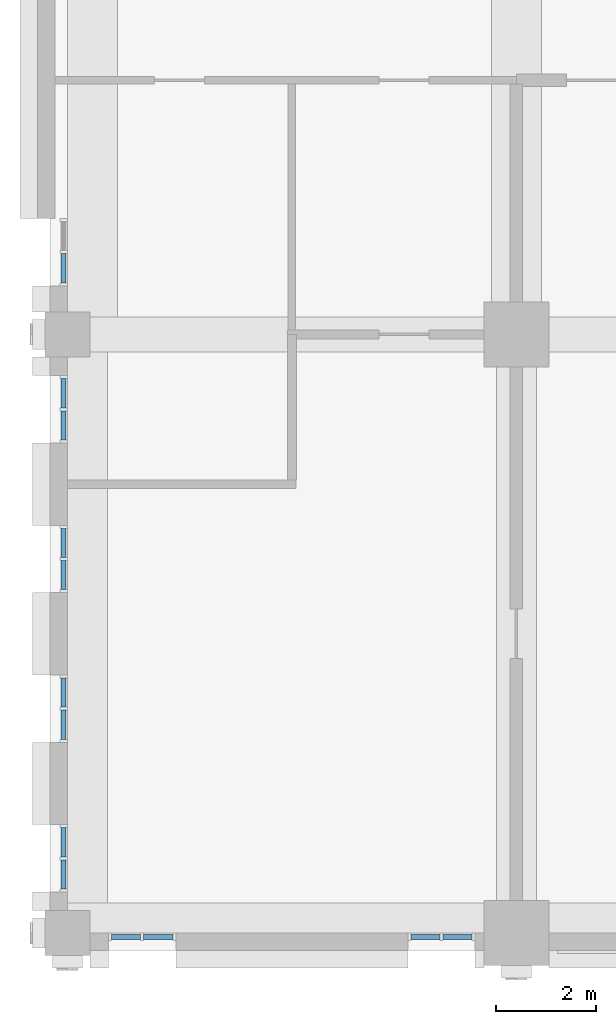
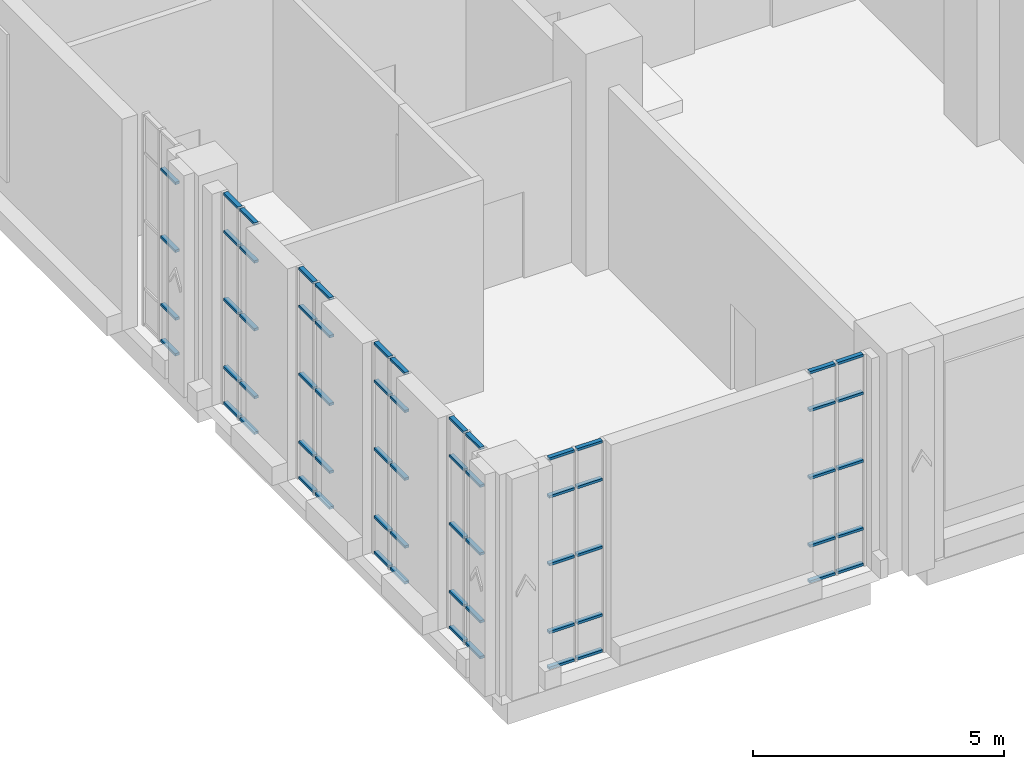
# One storey, part 15 of 53: 64 members, 7 elements without a shape of their own.
"""IFC4 building model written with IfcOpenShell, lengths in metres."""

from ifc_helpers import new_model, si_unit, direction, frame, origin, origin_2d, place, context, subcontext, project, spatial, rectangle, extrude, material, layer, layer_set, material_profile, profile_set, type_object, element, aggregate, save


model = new_model("IFC4")

# Units and contexts
model_context = context("Model", 3, precision=1e-05, world=origin(), true_north=direction((0.0, 1.0)))
body_context = subcontext(model_context, "Body", "Model", "MODEL_VIEW")
ifc_project = project(units=[si_unit("LENGTHUNIT", "METRE"), si_unit("AREAUNIT", "SQUARE_METRE"), si_unit("VOLUMEUNIT", "CUBIC_METRE"), si_unit("PLANEANGLEUNIT", "RADIAN"), si_unit("MASSUNIT", "GRAM", prefix="KILO")], contexts=[model_context])

# Site, building, storey
site_placement = place(None, origin())
site = spatial("IfcSite", under=ifc_project, at=site_placement, CompositionType="ELEMENT")
building_placement = place(site_placement, origin())
building = spatial("IfcBuilding", under=site, at=building_placement, Name="Aurelan Courthouse", CompositionType="ELEMENT")
storey_placement = place(building_placement, frame((0.0, 0.0, 12.0)))
storey = spatial("IfcBuildingStorey", under=building, at=storey_placement, Name="L02", CompositionType="ELEMENT", Elevation=12.0)

# Curtain wall, members
ifc_material_1 = material(Name="Bronze-finished aluminium and glass", Category="aluminium")
ifc_layer = layer(ifc_material_1, 0.14990234375)
ifc_layer_set = layer_set([ifc_layer], Name="Bronze-finished aluminium and glass")
curtain_wall_type = type_object("IfcCurtainWallType", Name="Curtain wall 1350 x 5150", PredefinedType="NOTDEFINED", material=ifc_layer_set)
curtain_wall_1_placement = place(storey_placement, origin())
curtain_wall_1 = element("IfcCurtainWall", 1, at=curtain_wall_1_placement, inside=storey, type_object=curtain_wall_type, Name="Curtain wall CW-V5-L02-S01", PredefinedType="NOTDEFINED")
ifc_material_2 = material(Name="Bronze-finished aluminium", Category="aluminium")
ifc_material_profile = material_profile(ifc_material_2, rectangle(XDim=0.10009765625, YDim=0.06005859375, at=origin_2d()), Name="Bronze transom 60 x 100")
ifc_profile_set = profile_set([ifc_material_profile], Name="Bronze-finished aluminium")
member_type = type_object("IfcMemberType", Name="Curtain wall transom 60 x 100", PredefinedType="USERDEFINED", material=ifc_profile_set)
member_1_placement = place(storey_placement, frame((0.885009765625, -0.074951171875, 0.030029296875), z_axis=(1.0, 0.0, 0.0), x_axis=(0.0, 1.0, 0.0)))
member_1 = element("IfcMember", 2, at=member_1_placement, type_object=member_type, Name="CW-V5-L02-S01 transom 1.1", ObjectType="TRANSOM", PredefinedType="USERDEFINED", context=body_context, shape_type="SweptSolid", body=[
    extrude(rectangle(XDim=0.10009765625, YDim=0.06005859375, at=origin_2d()), origin(), (0.0, 0.0, 1.0), 0.5849609375),
])
member_2_placement = place(storey_placement, frame((0.885009765625, -0.074951171875, 0.89990234375), z_axis=(1.0, 0.0, 0.0), x_axis=(0.0, 1.0, 0.0)))
member_2 = element("IfcMember", 3, at=member_2_placement, type_object=member_type, Name="CW-V5-L02-S01 transom 1.2", ObjectType="TRANSOM", PredefinedType="USERDEFINED", context=body_context, shape_type="SweptSolid", body=[
    extrude(rectangle(XDim=0.10009765625, YDim=0.06005859375, at=origin_2d()), origin(), (0.0, 0.0, 1.0), 0.5849609375),
])
member_3_placement = place(storey_placement, frame((0.885009765625, -0.074951171875, 2.550048828125), z_axis=(1.0, 0.0, 0.0), x_axis=(0.0, 1.0, 0.0)))
member_3 = element("IfcMember", 4, at=member_3_placement, type_object=member_type, Name="CW-V5-L02-S01 transom 1.3", ObjectType="TRANSOM", PredefinedType="USERDEFINED", context=body_context, shape_type="SweptSolid", body=[
    extrude(rectangle(XDim=0.10009765625, YDim=0.06005859375, at=origin_2d()), origin(), (0.0, 0.0, 1.0), 0.5849609375),
])
member_4_placement = place(storey_placement, frame((0.885009765625, -0.074951171875, 4.199951171875), z_axis=(1.0, 0.0, 0.0), x_axis=(0.0, 1.0, 0.0)))
member_4 = element("IfcMember", 5, at=member_4_placement, type_object=member_type, Name="CW-V5-L02-S01 transom 1.4", ObjectType="TRANSOM", PredefinedType="USERDEFINED", context=body_context, shape_type="SweptSolid", body=[
    extrude(rectangle(XDim=0.10009765625, YDim=0.06005859375, at=origin_2d()), origin(), (0.0, 0.0, 1.0), 0.5849609375),
])
member_5_placement = place(storey_placement, frame((0.885009765625, -0.074951171875, 5.1201171875), z_axis=(1.0, 0.0, 0.0), x_axis=(0.0, 1.0, 0.0)))
member_5 = element("IfcMember", 6, at=member_5_placement, type_object=member_type, Name="CW-V5-L02-S01 transom 1.5", ObjectType="TRANSOM", PredefinedType="USERDEFINED", context=body_context, shape_type="SweptSolid", body=[
    extrude(rectangle(XDim=0.10009765625, YDim=0.06005859375, at=origin_2d()), origin(), (0.0, 0.0, 1.0), 0.5849609375),
])
member_6_placement = place(storey_placement, frame((1.530029296875, -0.074951171875, 0.030029296875), z_axis=(1.0, 0.0, 0.0), x_axis=(0.0, 1.0, 0.0)))
member_6 = element("IfcMember", 7, at=member_6_placement, type_object=member_type, Name="CW-V5-L02-S01 transom 2.1", ObjectType="TRANSOM", PredefinedType="USERDEFINED", context=body_context, shape_type="SweptSolid", body=[
    extrude(rectangle(XDim=0.10009765625, YDim=0.06005859375, at=origin_2d()), origin(), (0.0, 0.0, 1.0), 0.5849609375),
])
member_7_placement = place(storey_placement, frame((1.530029296875, -0.074951171875, 0.89990234375), z_axis=(1.0, 0.0, 0.0), x_axis=(0.0, 1.0, 0.0)))
member_7 = element("IfcMember", 8, at=member_7_placement, type_object=member_type, Name="CW-V5-L02-S01 transom 2.2", ObjectType="TRANSOM", PredefinedType="USERDEFINED", context=body_context, shape_type="SweptSolid", body=[
    extrude(rectangle(XDim=0.10009765625, YDim=0.06005859375, at=origin_2d()), origin(), (0.0, 0.0, 1.0), 0.5849609375),
])
member_8_placement = place(storey_placement, frame((1.530029296875, -0.074951171875, 2.550048828125), z_axis=(1.0, 0.0, 0.0), x_axis=(0.0, 1.0, 0.0)))
member_8 = element("IfcMember", 9, at=member_8_placement, type_object=member_type, Name="CW-V5-L02-S01 transom 2.3", ObjectType="TRANSOM", PredefinedType="USERDEFINED", context=body_context, shape_type="SweptSolid", body=[
    extrude(rectangle(XDim=0.10009765625, YDim=0.06005859375, at=origin_2d()), origin(), (0.0, 0.0, 1.0), 0.5849609375),
])
member_9_placement = place(storey_placement, frame((1.530029296875, -0.074951171875, 4.199951171875), z_axis=(1.0, 0.0, 0.0), x_axis=(0.0, 1.0, 0.0)))
member_9 = element("IfcMember", 10, at=member_9_placement, type_object=member_type, Name="CW-V5-L02-S01 transom 2.4", ObjectType="TRANSOM", PredefinedType="USERDEFINED", context=body_context, shape_type="SweptSolid", body=[
    extrude(rectangle(XDim=0.10009765625, YDim=0.06005859375, at=origin_2d()), origin(), (0.0, 0.0, 1.0), 0.5849609375),
])
member_10_placement = place(storey_placement, frame((1.530029296875, -0.074951171875, 5.1201171875), z_axis=(1.0, 0.0, 0.0), x_axis=(0.0, 1.0, 0.0)))
member_10 = element("IfcMember", 11, at=member_10_placement, type_object=member_type, Name="CW-V5-L02-S01 transom 2.5", ObjectType="TRANSOM", PredefinedType="USERDEFINED", context=body_context, shape_type="SweptSolid", body=[
    extrude(rectangle(XDim=0.10009765625, YDim=0.06005859375, at=origin_2d()), origin(), (0.0, 0.0, 1.0), 0.5849609375),
])
aggregate(curtain_wall_1, [member_1, member_2, member_3, member_4, member_5, member_6, member_7, member_8, member_9, member_10])

curtain_wall_2_placement = place(storey_placement, origin())
curtain_wall_2 = element("IfcCurtainWall", 12, at=curtain_wall_2_placement, inside=storey, type_object=curtain_wall_type, Name="Curtain wall CW-V5-L02-S02", PredefinedType="NOTDEFINED")
member_11_placement = place(storey_placement, frame((6.885009765625, -0.074951171875, 0.030029296875), z_axis=(1.0, 0.0, 0.0), x_axis=(0.0, 1.0, 0.0)))
member_11 = element("IfcMember", 13, at=member_11_placement, type_object=member_type, Name="CW-V5-L02-S02 transom 1.1", ObjectType="TRANSOM", PredefinedType="USERDEFINED", context=body_context, shape_type="SweptSolid", body=[
    extrude(rectangle(XDim=0.10009765625, YDim=0.06005859375, at=origin_2d()), origin(), (0.0, 0.0, 1.0), 0.5849609375),
])
member_12_placement = place(storey_placement, frame((6.885009765625, -0.074951171875, 0.89990234375), z_axis=(1.0, 0.0, 0.0), x_axis=(0.0, 1.0, 0.0)))
member_12 = element("IfcMember", 14, at=member_12_placement, type_object=member_type, Name="CW-V5-L02-S02 transom 1.2", ObjectType="TRANSOM", PredefinedType="USERDEFINED", context=body_context, shape_type="SweptSolid", body=[
    extrude(rectangle(XDim=0.10009765625, YDim=0.06005859375, at=origin_2d()), origin(), (0.0, 0.0, 1.0), 0.5849609375),
])
member_13_placement = place(storey_placement, frame((6.885009765625, -0.074951171875, 2.550048828125), z_axis=(1.0, 0.0, 0.0), x_axis=(0.0, 1.0, 0.0)))
member_13 = element("IfcMember", 15, at=member_13_placement, type_object=member_type, Name="CW-V5-L02-S02 transom 1.3", ObjectType="TRANSOM", PredefinedType="USERDEFINED", context=body_context, shape_type="SweptSolid", body=[
    extrude(rectangle(XDim=0.10009765625, YDim=0.06005859375, at=origin_2d()), origin(), (0.0, 0.0, 1.0), 0.5849609375),
])
member_14_placement = place(storey_placement, frame((6.885009765625, -0.074951171875, 4.199951171875), z_axis=(1.0, 0.0, 0.0), x_axis=(0.0, 1.0, 0.0)))
member_14 = element("IfcMember", 16, at=member_14_placement, type_object=member_type, Name="CW-V5-L02-S02 transom 1.4", ObjectType="TRANSOM", PredefinedType="USERDEFINED", context=body_context, shape_type="SweptSolid", body=[
    extrude(rectangle(XDim=0.10009765625, YDim=0.06005859375, at=origin_2d()), origin(), (0.0, 0.0, 1.0), 0.5849609375),
])
member_15_placement = place(storey_placement, frame((6.885009765625, -0.074951171875, 5.1201171875), z_axis=(1.0, 0.0, 0.0), x_axis=(0.0, 1.0, 0.0)))
member_15 = element("IfcMember", 17, at=member_15_placement, type_object=member_type, Name="CW-V5-L02-S02 transom 1.5", ObjectType="TRANSOM", PredefinedType="USERDEFINED", context=body_context, shape_type="SweptSolid", body=[
    extrude(rectangle(XDim=0.10009765625, YDim=0.06005859375, at=origin_2d()), origin(), (0.0, 0.0, 1.0), 0.5849609375),
])
member_16_placement = place(storey_placement, frame((7.530029296875, -0.074951171875, 0.030029296875), z_axis=(1.0, 0.0, 0.0), x_axis=(0.0, 1.0, 0.0)))
member_16 = element("IfcMember", 18, at=member_16_placement, type_object=member_type, Name="CW-V5-L02-S02 transom 2.1", ObjectType="TRANSOM", PredefinedType="USERDEFINED", context=body_context, shape_type="SweptSolid", body=[
    extrude(rectangle(XDim=0.10009765625, YDim=0.06005859375, at=origin_2d()), origin(), (0.0, 0.0, 1.0), 0.5849609375),
])
member_17_placement = place(storey_placement, frame((7.530029296875, -0.074951171875, 0.89990234375), z_axis=(1.0, 0.0, 0.0), x_axis=(0.0, 1.0, 0.0)))
member_17 = element("IfcMember", 19, at=member_17_placement, type_object=member_type, Name="CW-V5-L02-S02 transom 2.2", ObjectType="TRANSOM", PredefinedType="USERDEFINED", context=body_context, shape_type="SweptSolid", body=[
    extrude(rectangle(XDim=0.10009765625, YDim=0.06005859375, at=origin_2d()), origin(), (0.0, 0.0, 1.0), 0.5849609375),
])
member_18_placement = place(storey_placement, frame((7.530029296875, -0.074951171875, 2.550048828125), z_axis=(1.0, 0.0, 0.0), x_axis=(0.0, 1.0, 0.0)))
member_18 = element("IfcMember", 20, at=member_18_placement, type_object=member_type, Name="CW-V5-L02-S02 transom 2.3", ObjectType="TRANSOM", PredefinedType="USERDEFINED", context=body_context, shape_type="SweptSolid", body=[
    extrude(rectangle(XDim=0.10009765625, YDim=0.06005859375, at=origin_2d()), origin(), (0.0, 0.0, 1.0), 0.5849609375),
])
member_19_placement = place(storey_placement, frame((7.530029296875, -0.074951171875, 4.199951171875), z_axis=(1.0, 0.0, 0.0), x_axis=(0.0, 1.0, 0.0)))
member_19 = element("IfcMember", 21, at=member_19_placement, type_object=member_type, Name="CW-V5-L02-S02 transom 2.4", ObjectType="TRANSOM", PredefinedType="USERDEFINED", context=body_context, shape_type="SweptSolid", body=[
    extrude(rectangle(XDim=0.10009765625, YDim=0.06005859375, at=origin_2d()), origin(), (0.0, 0.0, 1.0), 0.5849609375),
])
member_20_placement = place(storey_placement, frame((7.530029296875, -0.074951171875, 5.1201171875), z_axis=(1.0, 0.0, 0.0), x_axis=(0.0, 1.0, 0.0)))
member_20 = element("IfcMember", 22, at=member_20_placement, type_object=member_type, Name="CW-V5-L02-S02 transom 2.5", ObjectType="TRANSOM", PredefinedType="USERDEFINED", context=body_context, shape_type="SweptSolid", body=[
    extrude(rectangle(XDim=0.10009765625, YDim=0.06005859375, at=origin_2d()), origin(), (0.0, 0.0, 1.0), 0.5849609375),
])
aggregate(curtain_wall_2, [member_11, member_12, member_13, member_14, member_15, member_16, member_17, member_18, member_19, member_20])

curtain_wall_3_placement = place(storey_placement, origin())
curtain_wall_3 = element("IfcCurtainWall", 23, at=curtain_wall_3_placement, inside=storey, type_object=curtain_wall_type, Name="Curtain wall CW-V5-L02-W01", PredefinedType="NOTDEFINED")
member_21_placement = place(storey_placement, frame((-0.074951171875, 0.885009765625, 0.030029296875), z_axis=(0.0, 1.0, 0.0), x_axis=(-1.0, 0.0, 0.0)))
member_21 = element("IfcMember", 24, at=member_21_placement, type_object=member_type, Name="CW-V5-L02-W01 transom 1.1", ObjectType="TRANSOM", PredefinedType="USERDEFINED", context=body_context, shape_type="SweptSolid", body=[
    extrude(rectangle(XDim=0.10009765625, YDim=0.06005859375, at=origin_2d()), origin(), (0.0, 0.0, 1.0), 0.5849609375),
])
member_22_placement = place(storey_placement, frame((-0.074951171875, 0.885009765625, 0.89990234375), z_axis=(0.0, 1.0, 0.0), x_axis=(-1.0, 0.0, 0.0)))
member_22 = element("IfcMember", 25, at=member_22_placement, type_object=member_type, Name="CW-V5-L02-W01 transom 1.2", ObjectType="TRANSOM", PredefinedType="USERDEFINED", context=body_context, shape_type="SweptSolid", body=[
    extrude(rectangle(XDim=0.10009765625, YDim=0.06005859375, at=origin_2d()), origin(), (0.0, 0.0, 1.0), 0.5849609375),
])
member_23_placement = place(storey_placement, frame((-0.074951171875, 0.885009765625, 2.550048828125), z_axis=(0.0, 1.0, 0.0), x_axis=(-1.0, 0.0, 0.0)))
member_23 = element("IfcMember", 26, at=member_23_placement, type_object=member_type, Name="CW-V5-L02-W01 transom 1.3", ObjectType="TRANSOM", PredefinedType="USERDEFINED", context=body_context, shape_type="SweptSolid", body=[
    extrude(rectangle(XDim=0.10009765625, YDim=0.06005859375, at=origin_2d()), origin(), (0.0, 0.0, 1.0), 0.5849609375),
])
member_24_placement = place(storey_placement, frame((-0.074951171875, 0.885009765625, 4.199951171875), z_axis=(0.0, 1.0, 0.0), x_axis=(-1.0, 0.0, 0.0)))
member_24 = element("IfcMember", 27, at=member_24_placement, type_object=member_type, Name="CW-V5-L02-W01 transom 1.4", ObjectType="TRANSOM", PredefinedType="USERDEFINED", context=body_context, shape_type="SweptSolid", body=[
    extrude(rectangle(XDim=0.10009765625, YDim=0.06005859375, at=origin_2d()), origin(), (0.0, 0.0, 1.0), 0.5849609375),
])
member_25_placement = place(storey_placement, frame((-0.074951171875, 0.885009765625, 5.1201171875), z_axis=(0.0, 1.0, 0.0), x_axis=(-1.0, 0.0, 0.0)))
member_25 = element("IfcMember", 28, at=member_25_placement, type_object=member_type, Name="CW-V5-L02-W01 transom 1.5", ObjectType="TRANSOM", PredefinedType="USERDEFINED", context=body_context, shape_type="SweptSolid", body=[
    extrude(rectangle(XDim=0.10009765625, YDim=0.06005859375, at=origin_2d()), origin(), (0.0, 0.0, 1.0), 0.5849609375),
])
member_26_placement = place(storey_placement, frame((-0.074951171875, 1.530029296875, 0.030029296875), z_axis=(0.0, 1.0, 0.0), x_axis=(-1.0, 0.0, 0.0)))
member_26 = element("IfcMember", 29, at=member_26_placement, type_object=member_type, Name="CW-V5-L02-W01 transom 2.1", ObjectType="TRANSOM", PredefinedType="USERDEFINED", context=body_context, shape_type="SweptSolid", body=[
    extrude(rectangle(XDim=0.10009765625, YDim=0.06005859375, at=origin_2d()), origin(), (0.0, 0.0, 1.0), 0.5849609375),
])
member_27_placement = place(storey_placement, frame((-0.074951171875, 1.530029296875, 0.89990234375), z_axis=(0.0, 1.0, 0.0), x_axis=(-1.0, 0.0, 0.0)))
member_27 = element("IfcMember", 30, at=member_27_placement, type_object=member_type, Name="CW-V5-L02-W01 transom 2.2", ObjectType="TRANSOM", PredefinedType="USERDEFINED", context=body_context, shape_type="SweptSolid", body=[
    extrude(rectangle(XDim=0.10009765625, YDim=0.06005859375, at=origin_2d()), origin(), (0.0, 0.0, 1.0), 0.5849609375),
])
member_28_placement = place(storey_placement, frame((-0.074951171875, 1.530029296875, 2.550048828125), z_axis=(0.0, 1.0, 0.0), x_axis=(-1.0, 0.0, 0.0)))
member_28 = element("IfcMember", 31, at=member_28_placement, type_object=member_type, Name="CW-V5-L02-W01 transom 2.3", ObjectType="TRANSOM", PredefinedType="USERDEFINED", context=body_context, shape_type="SweptSolid", body=[
    extrude(rectangle(XDim=0.10009765625, YDim=0.06005859375, at=origin_2d()), origin(), (0.0, 0.0, 1.0), 0.5849609375),
])
member_29_placement = place(storey_placement, frame((-0.074951171875, 1.530029296875, 4.199951171875), z_axis=(0.0, 1.0, 0.0), x_axis=(-1.0, 0.0, 0.0)))
member_29 = element("IfcMember", 32, at=member_29_placement, type_object=member_type, Name="CW-V5-L02-W01 transom 2.4", ObjectType="TRANSOM", PredefinedType="USERDEFINED", context=body_context, shape_type="SweptSolid", body=[
    extrude(rectangle(XDim=0.10009765625, YDim=0.06005859375, at=origin_2d()), origin(), (0.0, 0.0, 1.0), 0.5849609375),
])
member_30_placement = place(storey_placement, frame((-0.074951171875, 1.530029296875, 5.1201171875), z_axis=(0.0, 1.0, 0.0), x_axis=(-1.0, 0.0, 0.0)))
member_30 = element("IfcMember", 33, at=member_30_placement, type_object=member_type, Name="CW-V5-L02-W01 transom 2.5", ObjectType="TRANSOM", PredefinedType="USERDEFINED", context=body_context, shape_type="SweptSolid", body=[
    extrude(rectangle(XDim=0.10009765625, YDim=0.06005859375, at=origin_2d()), origin(), (0.0, 0.0, 1.0), 0.5849609375),
])
aggregate(curtain_wall_3, [member_21, member_22, member_23, member_24, member_25, member_26, member_27, member_28, member_29, member_30])

curtain_wall_4_placement = place(storey_placement, origin())
curtain_wall_4 = element("IfcCurtainWall", 34, at=curtain_wall_4_placement, inside=storey, type_object=curtain_wall_type, Name="Curtain wall CW-V5-L02-W02", PredefinedType="NOTDEFINED")
member_31_placement = place(storey_placement, frame((-0.074951171875, 3.885009765625, 0.030029296875), z_axis=(0.0, 1.0, 0.0), x_axis=(-1.0, 0.0, 0.0)))
member_31 = element("IfcMember", 35, at=member_31_placement, type_object=member_type, Name="CW-V5-L02-W02 transom 1.1", ObjectType="TRANSOM", PredefinedType="USERDEFINED", context=body_context, shape_type="SweptSolid", body=[
    extrude(rectangle(XDim=0.10009765625, YDim=0.06005859375, at=origin_2d()), origin(), (0.0, 0.0, 1.0), 0.5849609375),
])
member_32_placement = place(storey_placement, frame((-0.074951171875, 3.885009765625, 0.89990234375), z_axis=(0.0, 1.0, 0.0), x_axis=(-1.0, 0.0, 0.0)))
member_32 = element("IfcMember", 36, at=member_32_placement, type_object=member_type, Name="CW-V5-L02-W02 transom 1.2", ObjectType="TRANSOM", PredefinedType="USERDEFINED", context=body_context, shape_type="SweptSolid", body=[
    extrude(rectangle(XDim=0.10009765625, YDim=0.06005859375, at=origin_2d()), origin(), (0.0, 0.0, 1.0), 0.5849609375),
])
member_33_placement = place(storey_placement, frame((-0.074951171875, 3.885009765625, 2.550048828125), z_axis=(0.0, 1.0, 0.0), x_axis=(-1.0, 0.0, 0.0)))
member_33 = element("IfcMember", 37, at=member_33_placement, type_object=member_type, Name="CW-V5-L02-W02 transom 1.3", ObjectType="TRANSOM", PredefinedType="USERDEFINED", context=body_context, shape_type="SweptSolid", body=[
    extrude(rectangle(XDim=0.10009765625, YDim=0.06005859375, at=origin_2d()), origin(), (0.0, 0.0, 1.0), 0.5849609375),
])
member_34_placement = place(storey_placement, frame((-0.074951171875, 3.885009765625, 4.199951171875), z_axis=(0.0, 1.0, 0.0), x_axis=(-1.0, 0.0, 0.0)))
member_34 = element("IfcMember", 38, at=member_34_placement, type_object=member_type, Name="CW-V5-L02-W02 transom 1.4", ObjectType="TRANSOM", PredefinedType="USERDEFINED", context=body_context, shape_type="SweptSolid", body=[
    extrude(rectangle(XDim=0.10009765625, YDim=0.06005859375, at=origin_2d()), origin(), (0.0, 0.0, 1.0), 0.5849609375),
])
member_35_placement = place(storey_placement, frame((-0.074951171875, 3.885009765625, 5.1201171875), z_axis=(0.0, 1.0, 0.0), x_axis=(-1.0, 0.0, 0.0)))
member_35 = element("IfcMember", 39, at=member_35_placement, type_object=member_type, Name="CW-V5-L02-W02 transom 1.5", ObjectType="TRANSOM", PredefinedType="USERDEFINED", context=body_context, shape_type="SweptSolid", body=[
    extrude(rectangle(XDim=0.10009765625, YDim=0.06005859375, at=origin_2d()), origin(), (0.0, 0.0, 1.0), 0.5849609375),
])
member_36_placement = place(storey_placement, frame((-0.074951171875, 4.530029296875, 0.030029296875), z_axis=(0.0, 1.0, 0.0), x_axis=(-1.0, 0.0, 0.0)))
member_36 = element("IfcMember", 40, at=member_36_placement, type_object=member_type, Name="CW-V5-L02-W02 transom 2.1", ObjectType="TRANSOM", PredefinedType="USERDEFINED", context=body_context, shape_type="SweptSolid", body=[
    extrude(rectangle(XDim=0.10009765625, YDim=0.06005859375, at=origin_2d()), origin(), (0.0, 0.0, 1.0), 0.5849609375),
])
member_37_placement = place(storey_placement, frame((-0.074951171875, 4.530029296875, 0.89990234375), z_axis=(0.0, 1.0, 0.0), x_axis=(-1.0, 0.0, 0.0)))
member_37 = element("IfcMember", 41, at=member_37_placement, type_object=member_type, Name="CW-V5-L02-W02 transom 2.2", ObjectType="TRANSOM", PredefinedType="USERDEFINED", context=body_context, shape_type="SweptSolid", body=[
    extrude(rectangle(XDim=0.10009765625, YDim=0.06005859375, at=origin_2d()), origin(), (0.0, 0.0, 1.0), 0.5849609375),
])
member_38_placement = place(storey_placement, frame((-0.074951171875, 4.530029296875, 2.550048828125), z_axis=(0.0, 1.0, 0.0), x_axis=(-1.0, 0.0, 0.0)))
member_38 = element("IfcMember", 42, at=member_38_placement, type_object=member_type, Name="CW-V5-L02-W02 transom 2.3", ObjectType="TRANSOM", PredefinedType="USERDEFINED", context=body_context, shape_type="SweptSolid", body=[
    extrude(rectangle(XDim=0.10009765625, YDim=0.06005859375, at=origin_2d()), origin(), (0.0, 0.0, 1.0), 0.5849609375),
])
member_39_placement = place(storey_placement, frame((-0.074951171875, 4.530029296875, 4.199951171875), z_axis=(0.0, 1.0, 0.0), x_axis=(-1.0, 0.0, 0.0)))
member_39 = element("IfcMember", 43, at=member_39_placement, type_object=member_type, Name="CW-V5-L02-W02 transom 2.4", ObjectType="TRANSOM", PredefinedType="USERDEFINED", context=body_context, shape_type="SweptSolid", body=[
    extrude(rectangle(XDim=0.10009765625, YDim=0.06005859375, at=origin_2d()), origin(), (0.0, 0.0, 1.0), 0.5849609375),
])
member_40_placement = place(storey_placement, frame((-0.074951171875, 4.530029296875, 5.1201171875), z_axis=(0.0, 1.0, 0.0), x_axis=(-1.0, 0.0, 0.0)))
member_40 = element("IfcMember", 44, at=member_40_placement, type_object=member_type, Name="CW-V5-L02-W02 transom 2.5", ObjectType="TRANSOM", PredefinedType="USERDEFINED", context=body_context, shape_type="SweptSolid", body=[
    extrude(rectangle(XDim=0.10009765625, YDim=0.06005859375, at=origin_2d()), origin(), (0.0, 0.0, 1.0), 0.5849609375),
])
aggregate(curtain_wall_4, [member_31, member_32, member_33, member_34, member_35, member_36, member_37, member_38, member_39, member_40])

curtain_wall_5_placement = place(storey_placement, origin())
curtain_wall_5 = element("IfcCurtainWall", 45, at=curtain_wall_5_placement, inside=storey, type_object=curtain_wall_type, Name="Curtain wall CW-V5-L02-W03", PredefinedType="NOTDEFINED")
member_41_placement = place(storey_placement, frame((-0.074951171875, 6.885009765625, 0.030029296875), z_axis=(0.0, 1.0, 0.0), x_axis=(-1.0, 0.0, 0.0)))
member_41 = element("IfcMember", 46, at=member_41_placement, type_object=member_type, Name="CW-V5-L02-W03 transom 1.1", ObjectType="TRANSOM", PredefinedType="USERDEFINED", context=body_context, shape_type="SweptSolid", body=[
    extrude(rectangle(XDim=0.10009765625, YDim=0.06005859375, at=origin_2d()), origin(), (0.0, 0.0, 1.0), 0.5849609375),
])
member_42_placement = place(storey_placement, frame((-0.074951171875, 6.885009765625, 0.89990234375), z_axis=(0.0, 1.0, 0.0), x_axis=(-1.0, 0.0, 0.0)))
member_42 = element("IfcMember", 47, at=member_42_placement, type_object=member_type, Name="CW-V5-L02-W03 transom 1.2", ObjectType="TRANSOM", PredefinedType="USERDEFINED", context=body_context, shape_type="SweptSolid", body=[
    extrude(rectangle(XDim=0.10009765625, YDim=0.06005859375, at=origin_2d()), origin(), (0.0, 0.0, 1.0), 0.5849609375),
])
member_43_placement = place(storey_placement, frame((-0.074951171875, 6.885009765625, 2.550048828125), z_axis=(0.0, 1.0, 0.0), x_axis=(-1.0, 0.0, 0.0)))
member_43 = element("IfcMember", 48, at=member_43_placement, type_object=member_type, Name="CW-V5-L02-W03 transom 1.3", ObjectType="TRANSOM", PredefinedType="USERDEFINED", context=body_context, shape_type="SweptSolid", body=[
    extrude(rectangle(XDim=0.10009765625, YDim=0.06005859375, at=origin_2d()), origin(), (0.0, 0.0, 1.0), 0.5849609375),
])
member_44_placement = place(storey_placement, frame((-0.074951171875, 6.885009765625, 4.199951171875), z_axis=(0.0, 1.0, 0.0), x_axis=(-1.0, 0.0, 0.0)))
member_44 = element("IfcMember", 49, at=member_44_placement, type_object=member_type, Name="CW-V5-L02-W03 transom 1.4", ObjectType="TRANSOM", PredefinedType="USERDEFINED", context=body_context, shape_type="SweptSolid", body=[
    extrude(rectangle(XDim=0.10009765625, YDim=0.06005859375, at=origin_2d()), origin(), (0.0, 0.0, 1.0), 0.5849609375),
])
member_45_placement = place(storey_placement, frame((-0.074951171875, 6.885009765625, 5.1201171875), z_axis=(0.0, 1.0, 0.0), x_axis=(-1.0, 0.0, 0.0)))
member_45 = element("IfcMember", 50, at=member_45_placement, type_object=member_type, Name="CW-V5-L02-W03 transom 1.5", ObjectType="TRANSOM", PredefinedType="USERDEFINED", context=body_context, shape_type="SweptSolid", body=[
    extrude(rectangle(XDim=0.10009765625, YDim=0.06005859375, at=origin_2d()), origin(), (0.0, 0.0, 1.0), 0.5849609375),
])
member_46_placement = place(storey_placement, frame((-0.074951171875, 7.530029296875, 0.030029296875), z_axis=(0.0, 1.0, 0.0), x_axis=(-1.0, 0.0, 0.0)))
member_46 = element("IfcMember", 51, at=member_46_placement, type_object=member_type, Name="CW-V5-L02-W03 transom 2.1", ObjectType="TRANSOM", PredefinedType="USERDEFINED", context=body_context, shape_type="SweptSolid", body=[
    extrude(rectangle(XDim=0.10009765625, YDim=0.06005859375, at=origin_2d()), origin(), (0.0, 0.0, 1.0), 0.5849609375),
])
member_47_placement = place(storey_placement, frame((-0.074951171875, 7.530029296875, 0.89990234375), z_axis=(0.0, 1.0, 0.0), x_axis=(-1.0, 0.0, 0.0)))
member_47 = element("IfcMember", 52, at=member_47_placement, type_object=member_type, Name="CW-V5-L02-W03 transom 2.2", ObjectType="TRANSOM", PredefinedType="USERDEFINED", context=body_context, shape_type="SweptSolid", body=[
    extrude(rectangle(XDim=0.10009765625, YDim=0.06005859375, at=origin_2d()), origin(), (0.0, 0.0, 1.0), 0.5849609375),
])
member_48_placement = place(storey_placement, frame((-0.074951171875, 7.530029296875, 2.550048828125), z_axis=(0.0, 1.0, 0.0), x_axis=(-1.0, 0.0, 0.0)))
member_48 = element("IfcMember", 53, at=member_48_placement, type_object=member_type, Name="CW-V5-L02-W03 transom 2.3", ObjectType="TRANSOM", PredefinedType="USERDEFINED", context=body_context, shape_type="SweptSolid", body=[
    extrude(rectangle(XDim=0.10009765625, YDim=0.06005859375, at=origin_2d()), origin(), (0.0, 0.0, 1.0), 0.5849609375),
])
member_49_placement = place(storey_placement, frame((-0.074951171875, 7.530029296875, 4.199951171875), z_axis=(0.0, 1.0, 0.0), x_axis=(-1.0, 0.0, 0.0)))
member_49 = element("IfcMember", 54, at=member_49_placement, type_object=member_type, Name="CW-V5-L02-W03 transom 2.4", ObjectType="TRANSOM", PredefinedType="USERDEFINED", context=body_context, shape_type="SweptSolid", body=[
    extrude(rectangle(XDim=0.10009765625, YDim=0.06005859375, at=origin_2d()), origin(), (0.0, 0.0, 1.0), 0.5849609375),
])
member_50_placement = place(storey_placement, frame((-0.074951171875, 7.530029296875, 5.1201171875), z_axis=(0.0, 1.0, 0.0), x_axis=(-1.0, 0.0, 0.0)))
member_50 = element("IfcMember", 55, at=member_50_placement, type_object=member_type, Name="CW-V5-L02-W03 transom 2.5", ObjectType="TRANSOM", PredefinedType="USERDEFINED", context=body_context, shape_type="SweptSolid", body=[
    extrude(rectangle(XDim=0.10009765625, YDim=0.06005859375, at=origin_2d()), origin(), (0.0, 0.0, 1.0), 0.5849609375),
])
aggregate(curtain_wall_5, [member_41, member_42, member_43, member_44, member_45, member_46, member_47, member_48, member_49, member_50])

curtain_wall_6_placement = place(storey_placement, origin())
curtain_wall_6 = element("IfcCurtainWall", 56, at=curtain_wall_6_placement, inside=storey, type_object=curtain_wall_type, Name="Curtain wall CW-V5-L02-W04", PredefinedType="NOTDEFINED")
member_51_placement = place(storey_placement, frame((-0.074951171875, 9.885009765625, 0.030029296875), z_axis=(0.0, 1.0, 0.0), x_axis=(-1.0, 0.0, 0.0)))
member_51 = element("IfcMember", 57, at=member_51_placement, type_object=member_type, Name="CW-V5-L02-W04 transom 1.1", ObjectType="TRANSOM", PredefinedType="USERDEFINED", context=body_context, shape_type="SweptSolid", body=[
    extrude(rectangle(XDim=0.10009765625, YDim=0.06005859375, at=origin_2d()), origin(), (0.0, 0.0, 1.0), 0.5849609375),
])
member_52_placement = place(storey_placement, frame((-0.074951171875, 9.885009765625, 0.89990234375), z_axis=(0.0, 1.0, 0.0), x_axis=(-1.0, 0.0, 0.0)))
member_52 = element("IfcMember", 58, at=member_52_placement, type_object=member_type, Name="CW-V5-L02-W04 transom 1.2", ObjectType="TRANSOM", PredefinedType="USERDEFINED", context=body_context, shape_type="SweptSolid", body=[
    extrude(rectangle(XDim=0.10009765625, YDim=0.06005859375, at=origin_2d()), origin(), (0.0, 0.0, 1.0), 0.5849609375),
])
member_53_placement = place(storey_placement, frame((-0.074951171875, 9.885009765625, 2.550048828125), z_axis=(0.0, 1.0, 0.0), x_axis=(-1.0, 0.0, 0.0)))
member_53 = element("IfcMember", 59, at=member_53_placement, type_object=member_type, Name="CW-V5-L02-W04 transom 1.3", ObjectType="TRANSOM", PredefinedType="USERDEFINED", context=body_context, shape_type="SweptSolid", body=[
    extrude(rectangle(XDim=0.10009765625, YDim=0.06005859375, at=origin_2d()), origin(), (0.0, 0.0, 1.0), 0.5849609375),
])
member_54_placement = place(storey_placement, frame((-0.074951171875, 9.885009765625, 4.199951171875), z_axis=(0.0, 1.0, 0.0), x_axis=(-1.0, 0.0, 0.0)))
member_54 = element("IfcMember", 60, at=member_54_placement, type_object=member_type, Name="CW-V5-L02-W04 transom 1.4", ObjectType="TRANSOM", PredefinedType="USERDEFINED", context=body_context, shape_type="SweptSolid", body=[
    extrude(rectangle(XDim=0.10009765625, YDim=0.06005859375, at=origin_2d()), origin(), (0.0, 0.0, 1.0), 0.5849609375),
])
member_55_placement = place(storey_placement, frame((-0.074951171875, 9.885009765625, 5.1201171875), z_axis=(0.0, 1.0, 0.0), x_axis=(-1.0, 0.0, 0.0)))
member_55 = element("IfcMember", 61, at=member_55_placement, type_object=member_type, Name="CW-V5-L02-W04 transom 1.5", ObjectType="TRANSOM", PredefinedType="USERDEFINED", context=body_context, shape_type="SweptSolid", body=[
    extrude(rectangle(XDim=0.10009765625, YDim=0.06005859375, at=origin_2d()), origin(), (0.0, 0.0, 1.0), 0.5849609375),
])
member_56_placement = place(storey_placement, frame((-0.074951171875, 10.530029296875, 0.030029296875), z_axis=(0.0, 1.0, 0.0), x_axis=(-1.0, 0.0, 0.0)))
member_56 = element("IfcMember", 62, at=member_56_placement, type_object=member_type, Name="CW-V5-L02-W04 transom 2.1", ObjectType="TRANSOM", PredefinedType="USERDEFINED", context=body_context, shape_type="SweptSolid", body=[
    extrude(rectangle(XDim=0.10009765625, YDim=0.06005859375, at=origin_2d()), origin(), (0.0, 0.0, 1.0), 0.5849609375),
])
member_57_placement = place(storey_placement, frame((-0.074951171875, 10.530029296875, 0.89990234375), z_axis=(0.0, 1.0, 0.0), x_axis=(-1.0, 0.0, 0.0)))
member_57 = element("IfcMember", 63, at=member_57_placement, type_object=member_type, Name="CW-V5-L02-W04 transom 2.2", ObjectType="TRANSOM", PredefinedType="USERDEFINED", context=body_context, shape_type="SweptSolid", body=[
    extrude(rectangle(XDim=0.10009765625, YDim=0.06005859375, at=origin_2d()), origin(), (0.0, 0.0, 1.0), 0.5849609375),
])
member_58_placement = place(storey_placement, frame((-0.074951171875, 10.530029296875, 2.550048828125), z_axis=(0.0, 1.0, 0.0), x_axis=(-1.0, 0.0, 0.0)))
member_58 = element("IfcMember", 64, at=member_58_placement, type_object=member_type, Name="CW-V5-L02-W04 transom 2.3", ObjectType="TRANSOM", PredefinedType="USERDEFINED", context=body_context, shape_type="SweptSolid", body=[
    extrude(rectangle(XDim=0.10009765625, YDim=0.06005859375, at=origin_2d()), origin(), (0.0, 0.0, 1.0), 0.5849609375),
])
member_59_placement = place(storey_placement, frame((-0.074951171875, 10.530029296875, 4.199951171875), z_axis=(0.0, 1.0, 0.0), x_axis=(-1.0, 0.0, 0.0)))
member_59 = element("IfcMember", 65, at=member_59_placement, type_object=member_type, Name="CW-V5-L02-W04 transom 2.4", ObjectType="TRANSOM", PredefinedType="USERDEFINED", context=body_context, shape_type="SweptSolid", body=[
    extrude(rectangle(XDim=0.10009765625, YDim=0.06005859375, at=origin_2d()), origin(), (0.0, 0.0, 1.0), 0.5849609375),
])
member_60_placement = place(storey_placement, frame((-0.074951171875, 10.530029296875, 5.1201171875), z_axis=(0.0, 1.0, 0.0), x_axis=(-1.0, 0.0, 0.0)))
member_60 = element("IfcMember", 66, at=member_60_placement, type_object=member_type, Name="CW-V5-L02-W04 transom 2.5", ObjectType="TRANSOM", PredefinedType="USERDEFINED", context=body_context, shape_type="SweptSolid", body=[
    extrude(rectangle(XDim=0.10009765625, YDim=0.06005859375, at=origin_2d()), origin(), (0.0, 0.0, 1.0), 0.5849609375),
])
aggregate(curtain_wall_6, [member_51, member_52, member_53, member_54, member_55, member_56, member_57, member_58, member_59, member_60])

curtain_wall_7_placement = place(storey_placement, origin())
curtain_wall_7 = element("IfcCurtainWall", 67, at=curtain_wall_7_placement, inside=storey, type_object=curtain_wall_type, Name="Curtain wall CW-V5-L02-W05", PredefinedType="NOTDEFINED")
member_61_placement = place(storey_placement, frame((-0.074951171875, 13.034912109375, 0.030029296875), z_axis=(0.0, 1.0, 0.0), x_axis=(-1.0, 0.0, 0.0)))
member_61 = element("IfcMember", 68, at=member_61_placement, type_object=member_type, Name="CW-V5-L02-W05 transom 1.1", ObjectType="TRANSOM", PredefinedType="USERDEFINED", context=body_context, shape_type="SweptSolid", body=[
    extrude(rectangle(XDim=0.10009765625, YDim=0.06005859375, at=origin_2d()), origin(), (0.0, 0.0, 1.0), 0.585205078125),
])
member_62_placement = place(storey_placement, frame((-0.074951171875, 13.034912109375, 0.89990234375), z_axis=(0.0, 1.0, 0.0), x_axis=(-1.0, 0.0, 0.0)))
member_62 = element("IfcMember", 69, at=member_62_placement, type_object=member_type, Name="CW-V5-L02-W05 transom 1.2", ObjectType="TRANSOM", PredefinedType="USERDEFINED", context=body_context, shape_type="SweptSolid", body=[
    extrude(rectangle(XDim=0.10009765625, YDim=0.06005859375, at=origin_2d()), origin(), (0.0, 0.0, 1.0), 0.585205078125),
])
member_63_placement = place(storey_placement, frame((-0.074951171875, 13.034912109375, 2.550048828125), z_axis=(0.0, 1.0, 0.0), x_axis=(-1.0, 0.0, 0.0)))
member_63 = element("IfcMember", 70, at=member_63_placement, type_object=member_type, Name="CW-V5-L02-W05 transom 1.3", ObjectType="TRANSOM", PredefinedType="USERDEFINED", context=body_context, shape_type="SweptSolid", body=[
    extrude(rectangle(XDim=0.10009765625, YDim=0.06005859375, at=origin_2d()), origin(), (0.0, 0.0, 1.0), 0.585205078125),
])
member_64_placement = place(storey_placement, frame((-0.074951171875, 13.034912109375, 4.199951171875), z_axis=(0.0, 1.0, 0.0), x_axis=(-1.0, 0.0, 0.0)))
member_64 = element("IfcMember", 71, at=member_64_placement, type_object=member_type, Name="CW-V5-L02-W05 transom 1.4", ObjectType="TRANSOM", PredefinedType="USERDEFINED", context=body_context, shape_type="SweptSolid", body=[
    extrude(rectangle(XDim=0.10009765625, YDim=0.06005859375, at=origin_2d()), origin(), (0.0, 0.0, 1.0), 0.585205078125),
])
aggregate(curtain_wall_7, [member_61, member_62, member_63, member_64])

save(model, "model.ifc")
